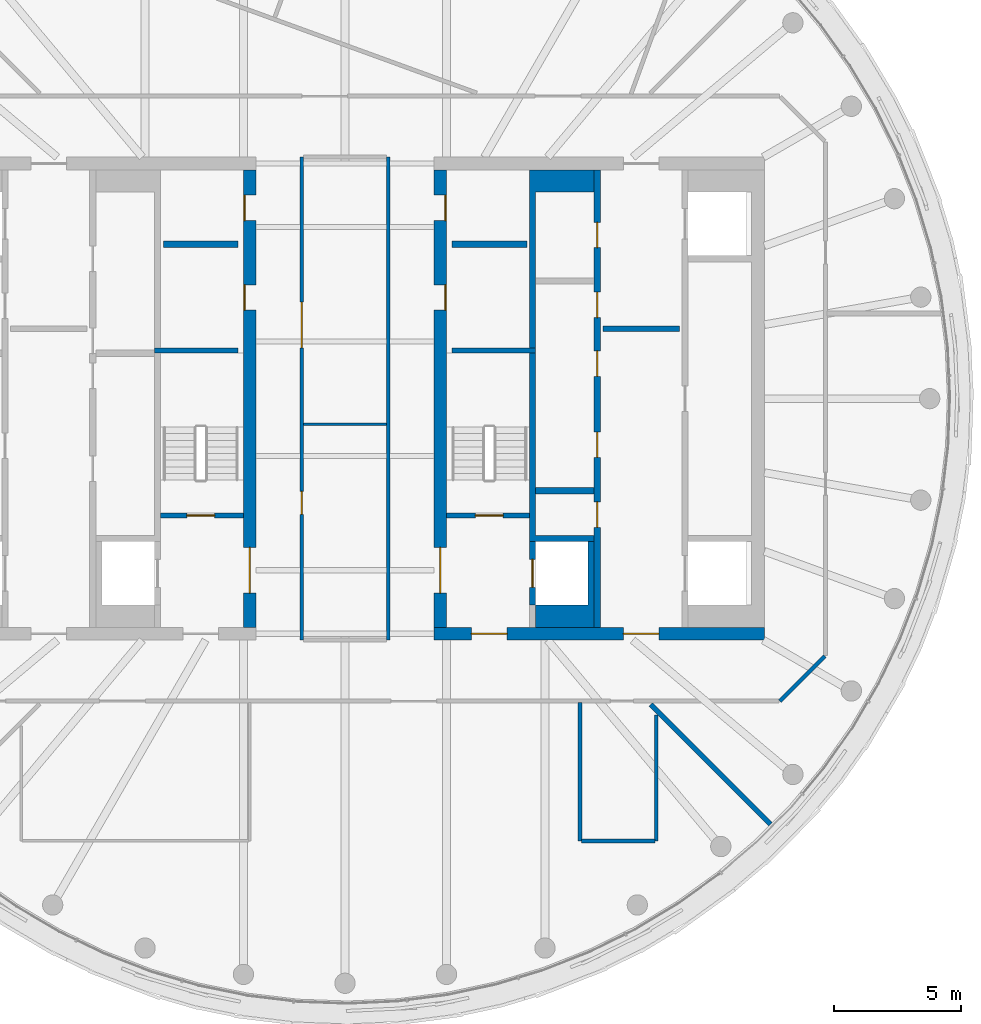
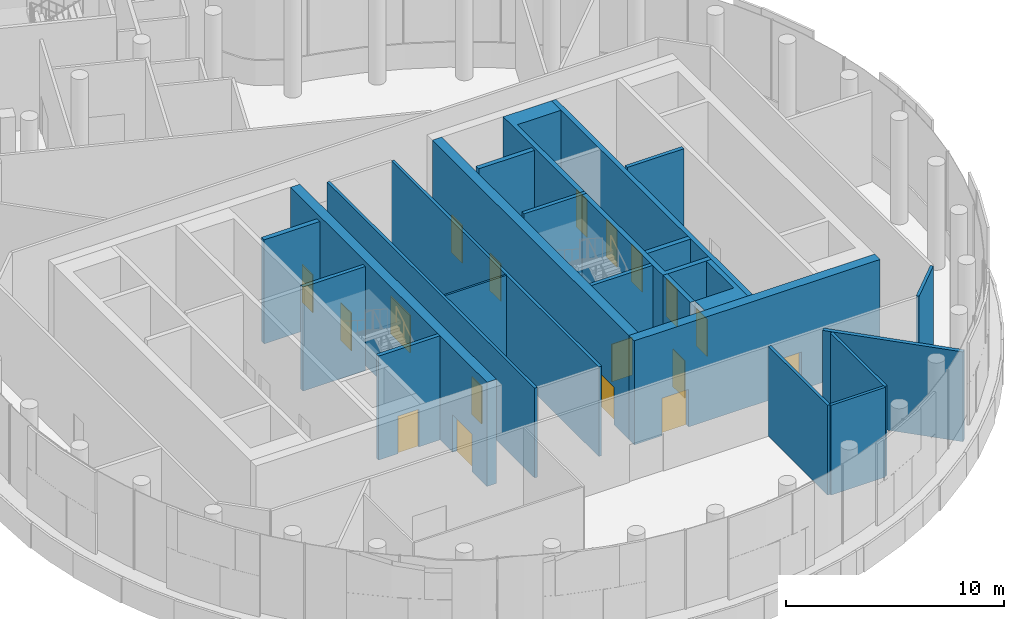
# One storey, part 12 of 18: 23 walls, 18 doors, 18 openings.
"""IFC4 building model written with IfcOpenShell, lengths in metres."""

from ifc_helpers import new_model, si_unit, direction, frame, frame_2d, origin, place, context, subcontext, project, spatial, polyline, rectangle, outline, extrude, material, layer, layer_set, type_object, element, fill, save


model = new_model("IFC4")

# Units and contexts
model_context = context("Model", 3, precision=1e-05, world=origin(), true_north=direction((0.0, 1.0)))
body_context = subcontext(model_context, "Body", "Model", "MODEL_VIEW")
ifc_project = project(units=[si_unit("LENGTHUNIT", "METRE"), si_unit("AREAUNIT", "SQUARE_METRE"), si_unit("VOLUMEUNIT", "CUBIC_METRE"), si_unit("PLANEANGLEUNIT", "RADIAN"), si_unit("MASSUNIT", "GRAM", prefix="KILO")], contexts=[model_context])

# Site, building, storey
site_placement = place(None, origin())
site = spatial("IfcSite", under=ifc_project, at=site_placement, CompositionType="ELEMENT")
building_placement = place(site_placement, origin())
building = spatial("IfcBuilding", under=site, at=building_placement, Name="Tamarind Cross Interchange Tower", CompositionType="ELEMENT")
storey_placement = place(building_placement, frame((0.0, 0.0, 299.39990234375)))
storey = spatial("IfcBuildingStorey", under=building, at=storey_placement, Name="L74", CompositionType="ELEMENT", Elevation=299.39990234375)

# Wall, openings, doors
ifc_material_1 = material(Name="Concrete C50", Category="concrete")
ifc_layer_1 = layer(ifc_material_1, 0.5)
ifc_layer_set_1 = layer_set([ifc_layer_1], Name="Concrete C50")
wall_type_1 = type_object("IfcWallType", Name="Core wall 500 mm Concrete C50", PredefinedType="SHEAR", material=ifc_layer_set_1)
wall_1_placement = place(storey_placement, frame((-3.75, -9.0, 0.0), z_axis=(0.0, 0.0, 1.0), x_axis=(0.0, 1.0, 0.0)))
wall_1 = element("IfcWall", 1, at=wall_1_placement, inside=storey, type_object=wall_type_1, Name="Core wall CWL-L74-W-IN", PredefinedType="SHEAR", context=body_context, shape_type="SweptSolid", body=[
    extrude(rectangle(XDim=18.0, YDim=0.5, at=frame_2d((9.0, 0.0))), origin(), (0.0, 0.0, 1.0), 5.820068359375),
])
opening_1_placement = place(wall_1_placement, frame((1.35009765625, 0.0, 0.0)))
opening_1 = element("IfcOpeningElement", 2, at=opening_1_placement, cuts=wall_1, Name="Opening DCW4", PredefinedType="OPENING", context=body_context, shape_type="SweptSolid", body=[
    extrude(rectangle(XDim=1.800048828125, YDim=2.10009765625, at=frame_2d((0.89990234375, 1.050048828125))), frame((0.0, 0.260009765625, 0.0), z_axis=(0.0, -1.0, 0.0), x_axis=(1.0, 0.0, 0.0)), (0.0, 0.0, 1.0), 0.52001953125),
])
opening_2_placement = place(wall_1_placement, frame((12.4775390625, 0.0, 0.0)))
opening_2 = element("IfcOpeningElement", 3, at=opening_2_placement, cuts=wall_1, Name="Opening DCW5", PredefinedType="OPENING", context=body_context, shape_type="SweptSolid", body=[
    extrude(rectangle(XDim=1.0, YDim=2.10009765625, at=frame_2d((0.5, 1.050048828125))), frame((0.0, 0.260009765625, 0.0), z_axis=(0.0, -1.0, 0.0), x_axis=(1.0, 0.0, 0.0)), (0.0, 0.0, 1.0), 0.52001953125),
])
opening_3_placement = place(wall_1_placement, frame((16.00244140625, 0.0, 0.0)))
opening_3 = element("IfcOpeningElement", 4, at=opening_3_placement, cuts=wall_1, Name="Opening DCW5", PredefinedType="OPENING", context=body_context, shape_type="SweptSolid", body=[
    extrude(rectangle(XDim=1.0, YDim=2.10009765625, at=frame_2d((0.5, 1.050048828125))), frame((0.0, 0.260009765625, 0.0), z_axis=(0.0, -1.0, 0.0), x_axis=(1.0, 0.0, 0.0)), (0.0, 0.0, 1.0), 0.52001953125),
])
ifc_material_2 = material(Name="Steel, fire-resisting", Category="steel")
door_type_1 = type_object("IfcDoorType", Name="Core fire door 1000 x 2100 FD90", OperationType="SINGLE_SWING_LEFT", PredefinedType="DOOR", material=ifc_material_2)
door_1_placement = place(opening_2_placement, origin())
door_1 = element("IfcDoor", 5, at=door_1_placement, inside=storey, type_object=door_type_1, Name="L74 cleaner's store door", OperationType="SINGLE_SWING_LEFT", OverallHeight=2.10009765625, OverallWidth=1.0, PredefinedType="DOOR", context=body_context, shape_type="SweptSolid", body=[
    extrude(rectangle(XDim=1.0, YDim=2.10009765625, at=frame_2d((0.5, 1.050048828125))), frame((0.0, 0.22509765625, 0.0), z_axis=(0.0, -1.0, 0.0), x_axis=(1.0, 0.0, 0.0)), (0.0, 0.0, 1.0), 0.050048828125),
])
fill(opening_2, door_1)
door_2_placement = place(opening_3_placement, origin())
door_2 = element("IfcDoor", 6, at=door_2_placement, inside=storey, type_object=door_type_1, Name="L74 catering store door", OperationType="SINGLE_SWING_LEFT", OverallHeight=2.10009765625, OverallWidth=1.0, PredefinedType="DOOR", context=body_context, shape_type="SweptSolid", body=[
    extrude(rectangle(XDim=1.0, YDim=2.10009765625, at=frame_2d((0.5, 1.050048828125))), frame((0.0, 0.22509765625, 0.0), z_axis=(0.0, -1.0, 0.0), x_axis=(1.0, 0.0, 0.0)), (0.0, 0.0, 1.0), 0.050048828125),
])
fill(opening_3, door_2)
door_type_2 = type_object("IfcDoorType", Name="Core fire door 1800 x 2100 FD90", OperationType="SINGLE_SWING_LEFT", PredefinedType="DOOR", material=ifc_material_2)
door_3_placement = place(opening_1_placement, origin())
door_3 = element("IfcDoor", 7, at=door_3_placement, inside=storey, type_object=door_type_2, Name="L74 firefighting lobby door", OperationType="SINGLE_SWING_LEFT", OverallHeight=2.10009765625, OverallWidth=1.800048828125, PredefinedType="DOOR", context=body_context, shape_type="SweptSolid", body=[
    extrude(rectangle(XDim=1.800048828125, YDim=2.10009765625, at=frame_2d((0.89990234375, 1.050048828125))), frame((0.0, 0.02490234375, 0.0), z_axis=(0.0, -1.0, 0.0), x_axis=(1.0, 0.0, 0.0)), (0.0, 0.0, 1.0), 0.050048828125),
])
fill(opening_1, door_3)

wall_2_placement = place(storey_placement, frame((16.5, -9.25, 0.0), z_axis=(0.0, 0.0, 1.0), x_axis=(-1.0, 0.0, 0.0)))
wall_2 = element("IfcWall", 8, at=wall_2_placement, inside=storey, type_object=wall_type_1, Name="Core wall CWL-L74-E-S", PredefinedType="SHEAR", context=body_context, shape_type="SweptSolid", body=[
    extrude(rectangle(XDim=13.0, YDim=0.5, at=frame_2d((6.5, 0.0))), origin(), (0.0, 0.0, 1.0), 5.820068359375),
])
opening_4_placement = place(wall_2_placement, frame((4.14990234375, 0.0, 0.0)))
opening_4 = element("IfcOpeningElement", 9, at=opening_4_placement, cuts=wall_2, Name="Opening DCE1", PredefinedType="OPENING", context=body_context, shape_type="SweptSolid", body=[
    extrude(rectangle(XDim=1.39990234375, YDim=2.10009765625, at=frame_2d((0.699951171875, 1.050048828125))), frame((0.0, 0.260009765625, 0.0), z_axis=(0.0, -1.0, 0.0), x_axis=(1.0, 0.0, 0.0)), (0.0, 0.0, 1.0), 0.52001953125),
])
opening_5_placement = place(wall_2_placement, frame((10.125, 0.0, 0.0)))
opening_5 = element("IfcOpeningElement", 10, at=opening_5_placement, cuts=wall_2, Name="Opening DCEF", PredefinedType="OPENING", context=body_context, shape_type="SweptSolid", body=[
    extrude(rectangle(XDim=1.39990234375, YDim=2.10009765625, at=frame_2d((0.699951171875, 1.050048828125))), frame((0.0, 0.260009765625, 0.0), z_axis=(0.0, -1.0, 0.0), x_axis=(1.0, 0.0, 0.0)), (0.0, 0.0, 1.0), 0.52001953125),
])
door_type_3 = type_object("IfcDoorType", Name="Core fire door 1400 x 2100 FD90", OperationType="SINGLE_SWING_LEFT", PredefinedType="DOOR", material=ifc_material_2)
door_4_placement = place(opening_4_placement, origin())
door_4 = element("IfcDoor", 11, at=door_4_placement, inside=storey, type_object=door_type_3, Name="L74 lift lobby door", OperationType="SINGLE_SWING_LEFT", OverallHeight=2.10009765625, OverallWidth=1.39990234375, PredefinedType="DOOR", context=body_context, shape_type="SweptSolid", body=[
    extrude(rectangle(XDim=1.39990234375, YDim=2.10009765625, at=frame_2d((0.699951171875, 1.050048828125))), frame((0.0, 0.02490234375, 0.0), z_axis=(0.0, -1.0, 0.0), x_axis=(1.0, 0.0, 0.0)), (0.0, 0.0, 1.0), 0.050048828125),
])
fill(opening_4, door_4)
door_5_placement = place(opening_5_placement, origin())
door_5 = element("IfcDoor", 12, at=door_5_placement, inside=storey, type_object=door_type_3, Name="L74 firefighting lobby end door", OperationType="SINGLE_SWING_LEFT", OverallHeight=2.10009765625, OverallWidth=1.39990234375, PredefinedType="DOOR", context=body_context, shape_type="SweptSolid", body=[
    extrude(rectangle(XDim=1.39990234375, YDim=2.10009765625, at=frame_2d((0.699951171875, 1.050048828125))), frame((0.0, 0.02490234375, 0.0), z_axis=(0.0, -1.0, 0.0), x_axis=(1.0, 0.0, 0.0)), (0.0, 0.0, 1.0), 0.050048828125),
])
fill(opening_5, door_5)

wall_3_placement = place(storey_placement, frame((3.75, -9.0, 0.0), z_axis=(0.0, 0.0, 1.0), x_axis=(0.0, 1.0, 0.0)))
wall_3 = element("IfcWall", 13, at=wall_3_placement, inside=storey, type_object=wall_type_1, Name="Core wall CWL-L74-E-IN", PredefinedType="SHEAR", context=body_context, shape_type="SweptSolid", body=[
    extrude(rectangle(XDim=18.0, YDim=0.5, at=frame_2d((9.0, 0.0))), origin(), (0.0, 0.0, 1.0), 5.820068359375),
])
opening_6_placement = place(wall_3_placement, frame((1.35009765625, 0.0, 0.0)))
opening_6 = element("IfcOpeningElement", 14, at=opening_6_placement, cuts=wall_3, Name="Opening DCE4", PredefinedType="OPENING", context=body_context, shape_type="SweptSolid", body=[
    extrude(rectangle(XDim=1.800048828125, YDim=2.10009765625, at=frame_2d((0.89990234375, 1.050048828125))), frame((0.0, 0.260009765625, 0.0), z_axis=(0.0, -1.0, 0.0), x_axis=(1.0, 0.0, 0.0)), (0.0, 0.0, 1.0), 0.52001953125),
])
opening_7_placement = place(wall_3_placement, frame((12.4775390625, 0.0, 0.0)))
opening_7 = element("IfcOpeningElement", 15, at=opening_7_placement, cuts=wall_3, Name="Opening DCE5", PredefinedType="OPENING", context=body_context, shape_type="SweptSolid", body=[
    extrude(rectangle(XDim=1.0, YDim=2.10009765625, at=frame_2d((0.5, 1.050048828125))), frame((0.0, 0.260009765625, 0.0), z_axis=(0.0, -1.0, 0.0), x_axis=(1.0, 0.0, 0.0)), (0.0, 0.0, 1.0), 0.52001953125),
])
opening_8_placement = place(wall_3_placement, frame((16.00244140625, 0.0, 0.0)))
opening_8 = element("IfcOpeningElement", 16, at=opening_8_placement, cuts=wall_3, Name="Opening DCE5", PredefinedType="OPENING", context=body_context, shape_type="SweptSolid", body=[
    extrude(rectangle(XDim=1.0, YDim=2.10009765625, at=frame_2d((0.5, 1.050048828125))), frame((0.0, 0.260009765625, 0.0), z_axis=(0.0, -1.0, 0.0), x_axis=(1.0, 0.0, 0.0)), (0.0, 0.0, 1.0), 0.52001953125),
])
door_6_placement = place(opening_7_placement, origin())
door_6 = element("IfcDoor", 17, at=door_6_placement, inside=storey, type_object=door_type_1, Name="L74 cleaner's store door", OperationType="SINGLE_SWING_LEFT", OverallHeight=2.10009765625, OverallWidth=1.0, PredefinedType="DOOR", context=body_context, shape_type="SweptSolid", body=[
    extrude(rectangle(XDim=1.0, YDim=2.10009765625, at=frame_2d((0.5, 1.050048828125))), frame((0.0, -0.1748046875, 0.0), z_axis=(0.0, -1.0, 0.0), x_axis=(1.0, 0.0, 0.0)), (0.0, 0.0, 1.0), 0.050048828125),
])
fill(opening_7, door_6)
door_7_placement = place(opening_8_placement, origin())
door_7 = element("IfcDoor", 18, at=door_7_placement, inside=storey, type_object=door_type_1, Name="L74 catering store door", OperationType="SINGLE_SWING_LEFT", OverallHeight=2.10009765625, OverallWidth=1.0, PredefinedType="DOOR", context=body_context, shape_type="SweptSolid", body=[
    extrude(rectangle(XDim=1.0, YDim=2.10009765625, at=frame_2d((0.5, 1.050048828125))), frame((0.0, -0.1748046875, 0.0), z_axis=(0.0, -1.0, 0.0), x_axis=(1.0, 0.0, 0.0)), (0.0, 0.0, 1.0), 0.050048828125),
])
fill(opening_8, door_7)
door_8_placement = place(opening_6_placement, origin())
door_8 = element("IfcDoor", 19, at=door_8_placement, inside=storey, type_object=door_type_2, Name="L74 firefighting lobby door", OperationType="SINGLE_SWING_LEFT", OverallHeight=2.10009765625, OverallWidth=1.800048828125, PredefinedType="DOOR", context=body_context, shape_type="SweptSolid", body=[
    extrude(rectangle(XDim=1.800048828125, YDim=2.10009765625, at=frame_2d((0.89990234375, 1.050048828125))), frame((0.0, 0.02490234375, 0.0), z_axis=(0.0, -1.0, 0.0), x_axis=(1.0, 0.0, 0.0)), (0.0, 0.0, 1.0), 0.050048828125),
])
fill(opening_6, door_8)

# Walls
ifc_layer_2 = layer(ifc_material_1, 0.199951171875)
ifc_layer_set_2 = layer_set([ifc_layer_2], Name="Concrete C50")
wall_type_2 = type_object("IfcWallType", Name="Core web wall 200 mm Concrete C50", PredefinedType="SHEAR", material=ifc_layer_set_2)
for number, where, z_axis, x_axis, name in (
    (20, (-7.5, 1.89990234375, 0.0), (0.0, 0.0, 1.0), (1.0, 0.0, 0.0), "Core wall CWL-L74-W-BD"),
    (21, (7.5, 1.89990234375, 0.0), (0.0, 0.0, 1.0), (-1.0, 0.0, 0.0), "Core wall CWL-L74-E-BD"),
):
    element("IfcWall", number, at=place(storey_placement, frame(where, z_axis=z_axis, x_axis=x_axis)), inside=storey, type_object=wall_type_2, Name=name, PredefinedType="SHEAR", context=body_context, shape_type="SweptSolid", body=[
        extrude(rectangle(XDim=3.300048828125, YDim=0.199951171875, at=frame_2d((1.64990234375, 0.0))), origin(), (0.0, 0.0, 1.0), 5.820068359375),
    ])
ifc_layer_3 = layer(ifc_material_1, 0.25)
ifc_layer_set_3 = layer_set([ifc_layer_3], Name="Concrete C50")
wall_type_3 = type_object("IfcWallType", Name="Core web wall 250 mm Concrete C50", PredefinedType="SHEAR", material=ifc_layer_set_3)
wall_4_placement = place(storey_placement, origin())
element("IfcWall", 22, at=wall_4_placement, inside=storey, type_object=wall_type_3, Name="Core wall CWL-L74-E-BN", PredefinedType="SHEAR", context=body_context, shape_type="SweptSolid", body=[
    extrude(outline(polyline([(9.800048828125, -5.625), (9.800048828125, -5.375), (7.5, -5.375), (7.5, 8.125), (9.800048828125, 8.125), (9.800048828125, 9.0), (7.5, 9.0), (7.25, 9.0), (7.25, -5.625), (7.5, -5.625), (9.800048828125, -5.625)])), origin(), (0.0, 0.0, 1.0), 5.820068359375),
])
wall_5_placement = place(storey_placement, origin())
element("IfcWall", 23, at=wall_5_placement, inside=storey, type_object=wall_type_3, Name="Core wall CWL-L74-E-BS", PredefinedType="SHEAR", context=body_context, shape_type="SweptSolid", body=[
    extrude(outline(polyline([(7.5, -8.125), (7.5, -9.0), (9.800048828125, -9.0), (9.800048828125, -8.125), (9.800048828125, -5.625), (9.550048828125, -5.625), (9.550048828125, -8.125), (7.5, -8.125)])), origin(), (0.0, 0.0, 1.0), 5.820068359375),
])

# Wall, openings, doors
wall_6_placement = place(storey_placement, frame((9.925048828125, -9.0, 0.0), z_axis=(0.0, 0.0, 1.0), x_axis=(0.0, 1.0, 0.0)))
wall_6 = element("IfcWall", 24, at=wall_6_placement, inside=storey, type_object=wall_type_3, Name="Core wall CWL-L74-E-LB", PredefinedType="SHEAR", context=body_context, shape_type="SweptSolid", body=[
    extrude(rectangle(XDim=18.0, YDim=0.25, at=frame_2d((9.0, 0.0))), origin(), (0.0, 0.0, 1.0), 5.820068359375),
])
opening_9_placement = place(wall_6_placement, frame((3.9375, 0.0, 0.0)))
opening_9 = element("IfcOpeningElement", 25, at=opening_9_placement, cuts=wall_6, Name="Opening DCE21", PredefinedType="OPENING", context=body_context, shape_type="SweptSolid", body=[
    extrude(rectangle(XDim=1.0, YDim=2.10009765625, at=frame_2d((0.5, 1.050048828125))), frame((0.0, 0.135009765625, 0.0), z_axis=(0.0, -1.0, 0.0), x_axis=(1.0, 0.0, 0.0)), (0.0, 0.0, 1.0), 0.27001953125),
])
opening_10_placement = place(wall_6_placement, frame((6.6875, 0.0, 0.0)))
opening_10 = element("IfcOpeningElement", 26, at=opening_10_placement, cuts=wall_6, Name="Opening DCE22", PredefinedType="OPENING", context=body_context, shape_type="SweptSolid", body=[
    extrude(rectangle(XDim=1.0, YDim=2.10009765625, at=frame_2d((0.5, 1.050048828125))), frame((0.0, 0.135009765625, 0.0), z_axis=(0.0, -1.0, 0.0), x_axis=(1.0, 0.0, 0.0)), (0.0, 0.0, 1.0), 0.27001953125),
])
opening_11_placement = place(wall_6_placement, frame((9.875, 0.0, 0.0)))
opening_11 = element("IfcOpeningElement", 27, at=opening_11_placement, cuts=wall_6, Name="Opening DCE21", PredefinedType="OPENING", context=body_context, shape_type="SweptSolid", body=[
    extrude(rectangle(XDim=1.0, YDim=2.10009765625, at=frame_2d((0.5, 1.050048828125))), frame((0.0, 0.135009765625, 0.0), z_axis=(0.0, -1.0, 0.0), x_axis=(1.0, 0.0, 0.0)), (0.0, 0.0, 1.0), 0.27001953125),
])
opening_12_placement = place(wall_6_placement, frame((12.1875, 0.0, 0.0)))
opening_12 = element("IfcOpeningElement", 28, at=opening_12_placement, cuts=wall_6, Name="Opening DCE21", PredefinedType="OPENING", context=body_context, shape_type="SweptSolid", body=[
    extrude(rectangle(XDim=1.0, YDim=2.10009765625, at=frame_2d((0.5, 1.050048828125))), frame((0.0, 0.135009765625, 0.0), z_axis=(0.0, -1.0, 0.0), x_axis=(1.0, 0.0, 0.0)), (0.0, 0.0, 1.0), 0.27001953125),
])
opening_13_placement = place(wall_6_placement, frame((14.9375, 0.0, 0.0)))
opening_13 = element("IfcOpeningElement", 29, at=opening_13_placement, cuts=wall_6, Name="Opening DCE22", PredefinedType="OPENING", context=body_context, shape_type="SweptSolid", body=[
    extrude(rectangle(XDim=1.0, YDim=2.10009765625, at=frame_2d((0.5, 1.050048828125))), frame((0.0, 0.135009765625, 0.0), z_axis=(0.0, -1.0, 0.0), x_axis=(1.0, 0.0, 0.0)), (0.0, 0.0, 1.0), 0.27001953125),
])
door_9_placement = place(opening_9_placement, origin())
door_9 = element("IfcDoor", 30, at=door_9_placement, inside=storey, type_object=door_type_1, Name="L74 First aid room door", OperationType="SINGLE_SWING_LEFT", OverallHeight=2.10009765625, OverallWidth=1.0, PredefinedType="DOOR", context=body_context, shape_type="SweptSolid", body=[
    extrude(rectangle(XDim=1.0, YDim=2.10009765625, at=frame_2d((0.5, 1.050048828125))), frame((0.0, 0.02490234375, 0.0), z_axis=(0.0, -1.0, 0.0), x_axis=(1.0, 0.0, 0.0)), (0.0, 0.0, 1.0), 0.050048828125),
])
fill(opening_9, door_9)
door_10_placement = place(opening_10_placement, origin())
door_10 = element("IfcDoor", 31, at=door_10_placement, inside=storey, type_object=door_type_1, Name="L74 Catering store door", OperationType="SINGLE_SWING_LEFT", OverallHeight=2.10009765625, OverallWidth=1.0, PredefinedType="DOOR", context=body_context, shape_type="SweptSolid", body=[
    extrude(rectangle(XDim=1.0, YDim=2.10009765625, at=frame_2d((0.5, 1.050048828125))), frame((0.0, 0.02490234375, 0.0), z_axis=(0.0, -1.0, 0.0), x_axis=(1.0, 0.0, 0.0)), (0.0, 0.0, 1.0), 0.050048828125),
])
fill(opening_10, door_10)
door_11_placement = place(opening_11_placement, origin())
door_11 = element("IfcDoor", 32, at=door_11_placement, inside=storey, type_object=door_type_1, Name="L74 Cleaner's store door", OperationType="SINGLE_SWING_LEFT", OverallHeight=2.10009765625, OverallWidth=1.0, PredefinedType="DOOR", context=body_context, shape_type="SweptSolid", body=[
    extrude(rectangle(XDim=1.0, YDim=2.10009765625, at=frame_2d((0.5, 1.050048828125))), frame((0.0, 0.02490234375, 0.0), z_axis=(0.0, -1.0, 0.0), x_axis=(1.0, 0.0, 0.0)), (0.0, 0.0, 1.0), 0.050048828125),
])
fill(opening_11, door_11)
door_12_placement = place(opening_12_placement, origin())
door_12 = element("IfcDoor", 33, at=door_12_placement, inside=storey, type_object=door_type_1, Name="L74 Catering store door", OperationType="SINGLE_SWING_LEFT", OverallHeight=2.10009765625, OverallWidth=1.0, PredefinedType="DOOR", context=body_context, shape_type="SweptSolid", body=[
    extrude(rectangle(XDim=1.0, YDim=2.10009765625, at=frame_2d((0.5, 1.050048828125))), frame((0.0, 0.02490234375, 0.0), z_axis=(0.0, -1.0, 0.0), x_axis=(1.0, 0.0, 0.0)), (0.0, 0.0, 1.0), 0.050048828125),
])
fill(opening_12, door_12)
door_13_placement = place(opening_13_placement, origin())
door_13 = element("IfcDoor", 34, at=door_13_placement, inside=storey, type_object=door_type_1, Name="L74 Cleaner's store door", OperationType="SINGLE_SWING_LEFT", OverallHeight=2.10009765625, OverallWidth=1.0, PredefinedType="DOOR", context=body_context, shape_type="SweptSolid", body=[
    extrude(rectangle(XDim=1.0, YDim=2.10009765625, at=frame_2d((0.5, 1.050048828125))), frame((0.0, 0.02490234375, 0.0), z_axis=(0.0, -1.0, 0.0), x_axis=(1.0, 0.0, 0.0)), (0.0, 0.0, 1.0), 0.050048828125),
])
fill(opening_13, door_13)

# Wall, opening, door
wall_7_placement = place(storey_placement, frame((7.375, -8.125, 0.0), z_axis=(0.0, 0.0, 1.0), x_axis=(0.0, 1.0, 0.0)))
wall_7 = element("IfcWall", 35, at=wall_7_placement, inside=storey, type_object=wall_type_3, Name="Core wall CWL-L74-E-FF", PredefinedType="SHEAR", context=body_context, shape_type="SweptSolid", body=[
    extrude(rectangle(XDim=2.5, YDim=0.25, at=frame_2d((1.25, 0.0))), origin(), (0.0, 0.0, 1.0), 5.820068359375),
])
opening_14_placement = place(wall_7_placement, frame((0.699951171875, 0.0, 0.0)))
opening_14 = element("IfcOpeningElement", 36, at=opening_14_placement, cuts=wall_7, Name="Opening LD19L74", PredefinedType="OPENING", context=body_context, shape_type="SweptSolid", body=[
    extrude(rectangle(XDim=1.10009765625, YDim=2.10009765625, at=frame_2d((0.550048828125, 1.050048828125))), frame((0.0, 0.135009765625, 0.0), z_axis=(0.0, -1.0, 0.0), x_axis=(1.0, 0.0, 0.0)), (0.0, 0.0, 1.0), 0.27001953125),
])
ifc_material_3 = material(Name="Stainless steel panel", Category="steel")
door_type_4 = type_object("IfcDoorType", Name="Lift landing door 1100 x 2100 E 120", OperationType="SLIDING_TO_LEFT", PredefinedType="DOOR", material=ifc_material_3)
door_14_placement = place(opening_14_placement, origin())
door_14 = element("IfcDoor", 37, at=door_14_placement, inside=storey, type_object=door_type_4, Name="L74 landing door LF19", OperationType="SLIDING_TO_LEFT", OverallHeight=2.10009765625, OverallWidth=1.10009765625, PredefinedType="DOOR", context=body_context, shape_type="SweptSolid", body=[
    extrude(rectangle(XDim=1.10009765625, YDim=2.10009765625, at=frame_2d((0.550048828125, 1.050048828125))), frame((0.0, 0.02490234375, 0.0), z_axis=(0.0, -1.0, 0.0), x_axis=(1.0, 0.0, 0.0)), (0.0, 0.0, 1.0), 0.050048828125),
])
fill(opening_14, door_14)

# Walls
ifc_material_4 = material(Name="Gypsum board partition on steel studs", Category="steel")
ifc_layer_4 = layer(ifc_material_4, 0.10009765625)
ifc_layer_set_4 = layer_set([ifc_layer_4], Name="Gypsum board partition on steel studs")
wall_type_4 = type_object("IfcWallType", Name="Partition 100 mm EI 120", PredefinedType="PARTITIONING", material=ifc_layer_set_4)
wall_8_placement = place(storey_placement, frame((-1.639892578125, -1.0, 0.0), z_axis=(0.0, 0.0, 1.0), x_axis=(1.0, 0.0, 0.0)))
element("IfcWall", 38, at=wall_8_placement, inside=storey, type_object=wall_type_4, Name="Partition L74-018", PredefinedType="PARTITIONING", context=body_context, shape_type="SweptSolid", body=[
    extrude(rectangle(XDim=3.27978515625, YDim=0.10009765625, at=frame_2d((1.639892578125, 0.0))), origin(), (0.0, 0.0, 1.0), 5.02001953125),
])
ifc_layer_5 = layer(ifc_material_4, 0.14990234375)
ifc_layer_set_5 = layer_set([ifc_layer_5], Name="Gypsum board partition on steel studs")
wall_type_5 = type_object("IfcWallType", Name="Partition 150 mm EI 120", PredefinedType="PARTITIONING", material=ifc_layer_set_5)
wall_9_placement = place(storey_placement, frame((9.2958984375, -17.39990234375, 0.0), z_axis=(0.0, 0.0, 1.0), x_axis=(1.0, 0.0, 0.0)))
element("IfcWall", 39, at=wall_9_placement, inside=storey, type_object=wall_type_5, Name="Partition L74-016", PredefinedType="PARTITIONING", context=body_context, shape_type="SweptSolid", body=[
    extrude(rectangle(XDim=2.89013671875, YDim=0.14990234375, at=frame_2d((1.445068359375, 0.0))), origin(), (0.0, 0.0, 1.0), 5.02001953125),
])
wall_10_placement = place(storey_placement, frame((17.10009765625, -11.89990234375, 0.0), z_axis=(0.0, 0.0, 1.0), x_axis=(0.707106781187, 0.707106781187, 0.0)))
element("IfcWall", 40, at=wall_10_placement, inside=storey, type_object=wall_type_5, Name="Partition L74-024", PredefinedType="PARTITIONING", context=body_context, shape_type="SweptSolid", body=[
    extrude(rectangle(XDim=2.50537109375, YDim=0.14990234375, at=frame_2d((1.252685546875, 0.0))), origin(), (0.0, 0.0, 1.0), 5.02001953125),
])

# Wall, openings, doors
wall_11_placement = place(storey_placement, frame((-1.699951171875, -9.5, 0.0), z_axis=(0.0, 0.0, 1.0), x_axis=(0.0, 1.0, 0.0)))
wall_11 = element("IfcWall", 41, at=wall_11_placement, inside=storey, type_object=wall_type_5, Name="Partition L74-037", PredefinedType="PARTITIONING", context=body_context, shape_type="SweptSolid", body=[
    extrude(rectangle(XDim=19.0, YDim=0.14990234375, at=frame_2d((9.5, 0.0))), origin(), (0.0, 0.0, 1.0), 5.02001953125),
])
opening_15_placement = place(wall_11_placement, frame((4.949951171875, 0.0, 0.0)))
opening_15 = element("IfcOpeningElement", 42, at=opening_15_placement, cuts=wall_11, Name="Opening D16", PredefinedType="OPENING", context=body_context, shape_type="SweptSolid", body=[
    extrude(rectangle(XDim=0.89990234375, YDim=2.10009765625, at=frame_2d((0.449951171875, 1.050048828125))), frame((0.0, 0.0849609375, 0.0), z_axis=(0.0, -1.0, 0.0), x_axis=(1.0, 0.0, 0.0)), (0.0, 0.0, 1.0), 0.169921875),
])
opening_16_placement = place(wall_11_placement, frame((11.5, 0.0, 0.0)))
opening_16 = element("IfcOpeningElement", 43, at=opening_16_placement, cuts=wall_11, Name="Opening D17", PredefinedType="OPENING", context=body_context, shape_type="SweptSolid", body=[
    extrude(rectangle(XDim=1.800048828125, YDim=2.10009765625, at=frame_2d((0.89990234375, 1.050048828125))), frame((0.0, 0.0849609375, 0.0), z_axis=(0.0, -1.0, 0.0), x_axis=(1.0, 0.0, 0.0)), (0.0, 0.0, 1.0), 0.169921875),
])
ifc_material_5 = material(Name="Fire-resisting door set")
door_type_5 = type_object("IfcDoorType", Name="Interior door 1800 x 2100 FD60S", OperationType="DOUBLE_DOOR_SINGLE_SWING", PredefinedType="DOOR", material=ifc_material_5)
door_15_placement = place(opening_16_placement, frame((1.800048828125, 0.0, 0.0), z_axis=(0.0, 0.0, 1.0), x_axis=(-1.0, 0.0, 0.0)))
door_15 = element("IfcDoor", 44, at=door_15_placement, inside=storey, type_object=door_type_5, Name="Door D17", OperationType="DOUBLE_DOOR_SINGLE_SWING", OverallHeight=2.10009765625, OverallWidth=1.800048828125, PredefinedType="DOOR", context=body_context, shape_type="SweptSolid", body=[
    extrude(rectangle(XDim=1.800048828125, YDim=2.10009765625, at=frame_2d((0.89990234375, 1.050048828125))), frame((0.0, 0.02490234375, 0.0), z_axis=(0.0, -1.0, 0.0), x_axis=(1.0, 0.0, 0.0)), (0.0, 0.0, 1.0), 0.050048828125),
])
fill(opening_16, door_15)
door_type_6 = type_object("IfcDoorType", Name="Interior door 900 x 2100 FD60S", OperationType="SINGLE_SWING_LEFT", PredefinedType="DOOR", material=ifc_material_5)
door_16_placement = place(opening_15_placement, frame((0.89990234375, 0.0, 0.0), z_axis=(0.0, 0.0, 1.0), x_axis=(-1.0, 0.0, 0.0)))
door_16 = element("IfcDoor", 45, at=door_16_placement, inside=storey, type_object=door_type_6, Name="Door D16", OperationType="SINGLE_SWING_LEFT", OverallHeight=2.10009765625, OverallWidth=0.89990234375, PredefinedType="DOOR", context=body_context, shape_type="SweptSolid", body=[
    extrude(rectangle(XDim=0.89990234375, YDim=2.10009765625, at=frame_2d((0.449951171875, 1.050048828125))), frame((0.0, 0.02490234375, 0.0), z_axis=(0.0, -1.0, 0.0), x_axis=(1.0, 0.0, 0.0)), (0.0, 0.0, 1.0), 0.050048828125),
])
fill(opening_15, door_16)

# Walls
wall_12_placement = place(storey_placement, frame((1.699951171875, -9.5, 0.0), z_axis=(0.0, 0.0, 1.0), x_axis=(0.0, 1.0, 0.0)))
element("IfcWall", 46, at=wall_12_placement, inside=storey, type_object=wall_type_5, Name="Partition L74-038", PredefinedType="PARTITIONING", context=body_context, shape_type="SweptSolid", body=[
    extrude(rectangle(XDim=19.0, YDim=0.14990234375, at=frame_2d((9.5, 0.0))), origin(), (0.0, 0.0, 1.0), 5.02001953125),
])
wall_13_placement = place(storey_placement, frame((9.240966796875, -17.39990234375, 0.0), z_axis=(0.0, 0.0, 1.0), x_axis=(0.0, 1.0, 0.0)))
element("IfcWall", 47, at=wall_13_placement, inside=storey, type_object=wall_type_5, Name="Partition L74-039", PredefinedType="PARTITIONING", context=body_context, shape_type="SweptSolid", body=[
    extrude(rectangle(XDim=5.44482421875, YDim=0.14990234375, at=frame_2d((2.722412109375, 0.0))), origin(), (0.0, 0.0, 1.0), 5.02001953125),
])
wall_14_placement = place(storey_placement, frame((12.240966796875, -17.39990234375, 0.0), z_axis=(0.0, 0.0, 1.0), x_axis=(0.0, 1.0, 0.0)))
element("IfcWall", 48, at=wall_14_placement, inside=storey, type_object=wall_type_5, Name="Partition L74-040", PredefinedType="PARTITIONING", context=body_context, shape_type="SweptSolid", body=[
    extrude(rectangle(XDim=4.958984375, YDim=0.14990234375, at=frame_2d((2.4794921875, 0.0))), origin(), (0.0, 0.0, 1.0), 5.02001953125),
])
ifc_layer_6 = layer(ifc_material_4, 0.199951171875)
ifc_layer_set_6 = layer_set([ifc_layer_6], Name="Gypsum board partition on steel studs")
wall_type_6 = type_object("IfcWallType", Name="Partition 200 mm EI 180", PredefinedType="PARTITIONING", material=ifc_layer_set_6)
wall_15_placement = place(storey_placement, frame((12.02734375, -12.02734375, 0.0), z_axis=(0.0, 0.0, 1.0), x_axis=(0.707106781187, -0.707106781187, 0.0)))
element("IfcWall", 49, at=wall_15_placement, inside=storey, type_object=wall_type_6, Name="Partition L74-003", PredefinedType="PARTITIONING", context=body_context, shape_type="SweptSolid", body=[
    extrude(rectangle(XDim=6.665283203125, YDim=0.199951171875, at=frame_2d((3.33251953125, 0.0))), origin(), (0.0, 0.0, 1.0), 5.02001953125),
])
ifc_material_6 = material(Name="Concrete C40", Category="concrete")
ifc_layer_7 = layer(ifc_material_6, 0.199951171875)
ifc_layer_set_7 = layer_set([ifc_layer_7], Name="Concrete C40")
wall_type_7 = type_object("IfcWallType", Name="Shaft and lobby wall 200 mm Concrete C40", PredefinedType="PARTITIONING", material=ifc_layer_set_7)
wall_16_placement = place(storey_placement, frame((13.14990234375, 2.75, 0.0), z_axis=(0.0, 0.0, 1.0), x_axis=(-1.0, 0.0, 0.0)))
element("IfcWall", 50, at=wall_16_placement, inside=storey, type_object=wall_type_7, Name="Shaft wall CWL-L74-E-OBS", PredefinedType="PARTITIONING", context=body_context, shape_type="SweptSolid", body=[
    extrude(rectangle(XDim=3.0, YDim=0.199951171875, at=frame_2d((1.5, 0.0))), origin(), (0.0, 0.0, 1.0), 5.820068359375),
])
ifc_layer_8 = layer(ifc_material_6, 0.25)
ifc_layer_set_8 = layer_set([ifc_layer_8], Name="Concrete C40")
wall_type_8 = type_object("IfcWallType", Name="Shaft and lobby wall 250 mm Concrete C40", PredefinedType="PARTITIONING", material=ifc_layer_set_8)
for number, where, z_axis, x_axis, name in (
    (51, (-7.14990234375, 6.080078125, 0.0), (0.0, 0.0, 1.0), (1.0, 0.0, 0.0), "Shaft wall CWL-L74-W-SVP"),
    (52, (7.14990234375, 6.080078125, 0.0), (0.0, 0.0, 1.0), (-1.0, 0.0, 0.0), "Shaft wall CWL-L74-E-SVP"),
):
    element("IfcWall", number, at=place(storey_placement, frame(where, z_axis=z_axis, x_axis=x_axis)), inside=storey, type_object=wall_type_8, Name=name, PredefinedType="PARTITIONING", context=body_context, shape_type="SweptSolid", body=[
        extrude(rectangle(XDim=2.949951171875, YDim=0.25, at=frame_2d((1.47509765625, 0.0))), origin(), (0.0, 0.0, 1.0), 5.820068359375),
    ])
wall_17_placement = place(storey_placement, frame((9.800048828125, -3.625, 0.0), z_axis=(0.0, 0.0, 1.0), x_axis=(-1.0, 0.0, 0.0)))
element("IfcWall", 53, at=wall_17_placement, inside=storey, type_object=wall_type_8, Name="Shaft wall CWL-L74-E-FPB1", PredefinedType="PARTITIONING", context=body_context, shape_type="SweptSolid", body=[
    extrude(rectangle(XDim=2.300048828125, YDim=0.25, at=frame_2d((1.14990234375, 0.0))), origin(), (0.0, 0.0, 1.0), 5.820068359375),
])

# Wall, opening, door
ifc_layer_9 = layer(ifc_material_6, 0.199951171875)
ifc_layer_set_9 = layer_set([ifc_layer_9], Name="Concrete C40")
wall_type_9 = type_object("IfcWallType", Name="Stair shaft wall 200 mm Concrete C40", PredefinedType="SHEAR", material=ifc_layer_set_9)
wall_18_placement = place(storey_placement, frame((-7.25, -4.60009765625, 0.0), z_axis=(0.0, 0.0, 1.0), x_axis=(1.0, 0.0, 0.0)))
wall_18 = element("IfcWall", 54, at=wall_18_placement, inside=storey, type_object=wall_type_9, Name="Core wall CWL-L74-W-SD", PredefinedType="SHEAR", context=body_context, shape_type="SweptSolid", body=[
    extrude(rectangle(XDim=3.25, YDim=0.199951171875, at=frame_2d((1.625, 0.0))), origin(), (0.0, 0.0, 1.0), 5.820068359375),
])
opening_17_placement = place(wall_18_placement, frame((1.02490234375, 0.0, 0.0)))
opening_17 = element("IfcOpeningElement", 55, at=opening_17_placement, cuts=wall_18, Name="Opening DCW6", PredefinedType="OPENING", context=body_context, shape_type="SweptSolid", body=[
    extrude(rectangle(XDim=1.10009765625, YDim=2.10009765625, at=frame_2d((0.550048828125, 1.050048828125))), frame((0.0, 0.10986328125, 0.0), z_axis=(0.0, -1.0, 0.0), x_axis=(1.0, 0.0, 0.0)), (0.0, 0.0, 1.0), 0.219970703125),
])
door_type_7 = type_object("IfcDoorType", Name="Core fire door 1100 x 2100 FD90", OperationType="SINGLE_SWING_LEFT", PredefinedType="DOOR", material=ifc_material_2)
door_17_placement = place(opening_17_placement, origin())
door_17 = element("IfcDoor", 56, at=door_17_placement, inside=storey, type_object=door_type_7, Name="L74 stair door", OperationType="SINGLE_SWING_LEFT", OverallHeight=2.10009765625, OverallWidth=1.10009765625, PredefinedType="DOOR", context=body_context, shape_type="SweptSolid", body=[
    extrude(rectangle(XDim=1.10009765625, YDim=2.10009765625, at=frame_2d((0.550048828125, 1.050048828125))), frame((0.0, 0.02490234375, 0.0), z_axis=(0.0, -1.0, 0.0), x_axis=(1.0, 0.0, 0.0)), (0.0, 0.0, 1.0), 0.050048828125),
])
fill(opening_17, door_17)

wall_19_placement = place(storey_placement, frame((7.25, -4.60009765625, 0.0), z_axis=(0.0, 0.0, 1.0), x_axis=(-1.0, 0.0, 0.0)))
wall_19 = element("IfcWall", 57, at=wall_19_placement, inside=storey, type_object=wall_type_9, Name="Core wall CWL-L74-E-SD", PredefinedType="SHEAR", context=body_context, shape_type="SweptSolid", body=[
    extrude(rectangle(XDim=3.25, YDim=0.199951171875, at=frame_2d((1.625, 0.0))), origin(), (0.0, 0.0, 1.0), 5.820068359375),
])
opening_18_placement = place(wall_19_placement, frame((1.02490234375, 0.0, 0.0)))
opening_18 = element("IfcOpeningElement", 58, at=opening_18_placement, cuts=wall_19, Name="Opening DCE6", PredefinedType="OPENING", context=body_context, shape_type="SweptSolid", body=[
    extrude(rectangle(XDim=1.10009765625, YDim=2.10009765625, at=frame_2d((0.550048828125, 1.050048828125))), frame((0.0, 0.10986328125, 0.0), z_axis=(0.0, -1.0, 0.0), x_axis=(1.0, 0.0, 0.0)), (0.0, 0.0, 1.0), 0.219970703125),
])
door_18_placement = place(opening_18_placement, origin())
door_18 = element("IfcDoor", 59, at=door_18_placement, inside=storey, type_object=door_type_7, Name="L74 stair door", OperationType="SINGLE_SWING_LEFT", OverallHeight=2.10009765625, OverallWidth=1.10009765625, PredefinedType="DOOR", context=body_context, shape_type="SweptSolid", body=[
    extrude(rectangle(XDim=1.10009765625, YDim=2.10009765625, at=frame_2d((0.550048828125, 1.050048828125))), frame((0.0, 0.02490234375, 0.0), z_axis=(0.0, -1.0, 0.0), x_axis=(1.0, 0.0, 0.0)), (0.0, 0.0, 1.0), 0.050048828125),
])
fill(opening_18, door_18)

save(model, "model.ifc")
